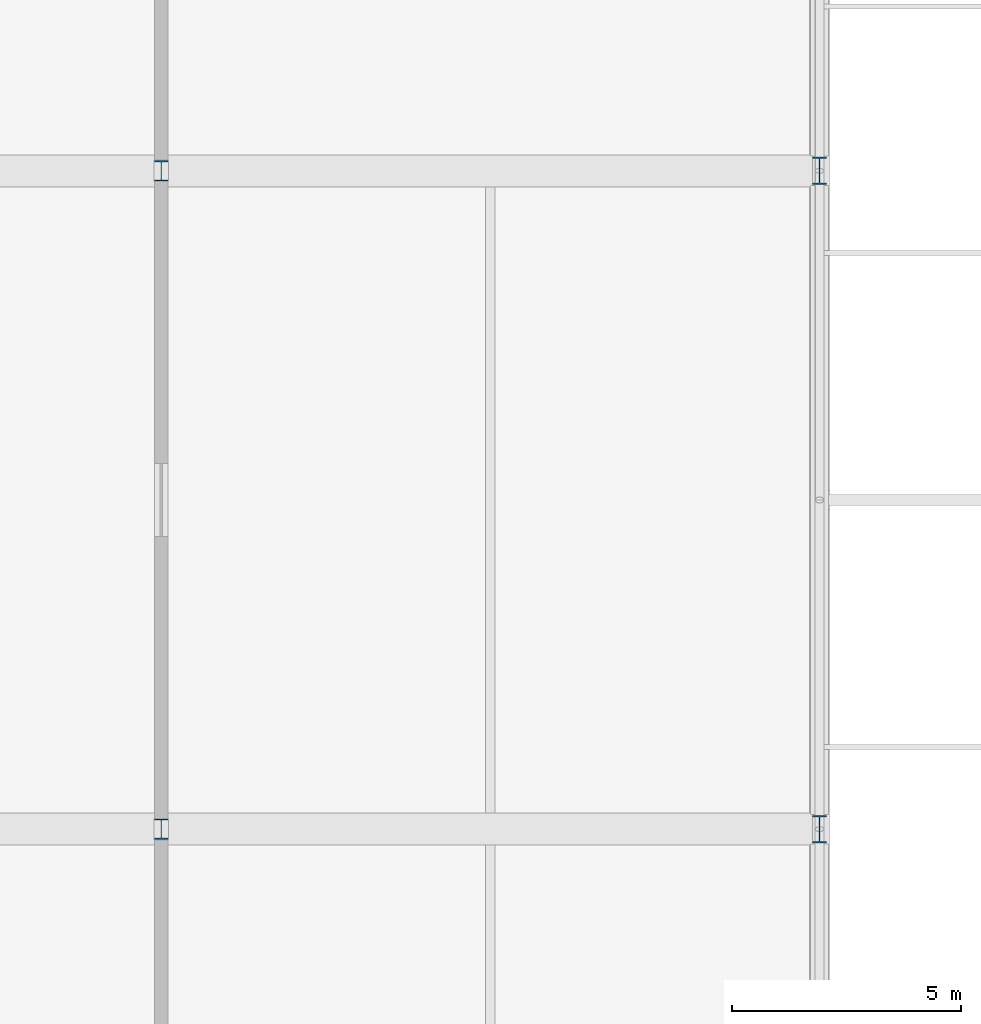
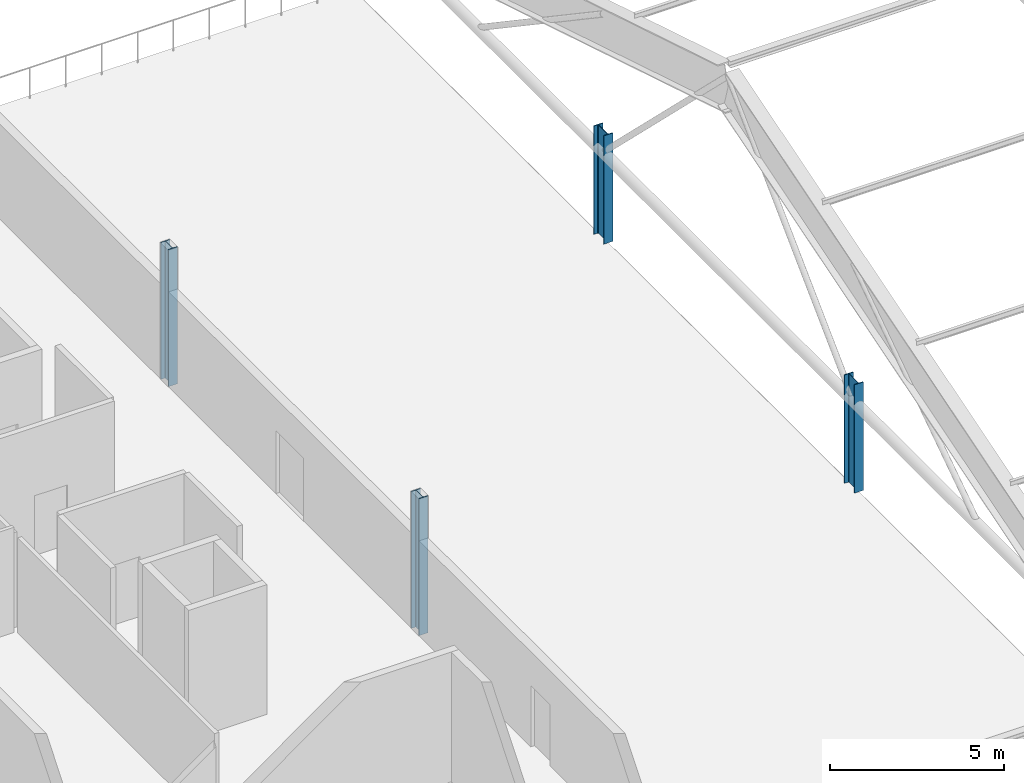
# One storey, part 9 of 116: 4 columns.
"""IFC4 building model written with IfcOpenShell, lengths in metres."""

from ifc_helpers import new_model, si_unit, direction, frame, origin, origin_2d, place, context, subcontext, project, spatial, i_section, extrude, material, material_profile, profile_set, type_object, element, save


model = new_model("IFC4")

# Units and contexts
model_context = context("Model", 3, precision=1e-05, world=origin(), true_north=direction((0.0, 1.0)))
body_context = subcontext(model_context, "Body", "Model", "MODEL_VIEW")
ifc_project = project(units=[si_unit("LENGTHUNIT", "METRE"), si_unit("AREAUNIT", "SQUARE_METRE"), si_unit("VOLUMEUNIT", "CUBIC_METRE"), si_unit("PLANEANGLEUNIT", "RADIAN"), si_unit("MASSUNIT", "GRAM", prefix="KILO")], contexts=[model_context])

# Site, building, storey
site_placement = place(None, origin())
site = spatial("IfcSite", under=ifc_project, at=site_placement, CompositionType="ELEMENT")
building_placement = place(site_placement, origin())
building = spatial("IfcBuilding", under=site, at=building_placement, Name="Cendralis Lancet Convention Centre", CompositionType="ELEMENT")
storey_placement = place(building_placement, frame((0.0, 0.0, 15.0)))
storey = spatial("IfcBuildingStorey", under=building, at=storey_placement, Name="L03", CompositionType="ELEMENT", Elevation=15.0)

# Columns
ifc_material = material(Name="Steel S355", Category="steel")
ifc_material_profile_1 = material_profile(ifc_material, i_section(OverallWidth=0.300048828125, OverallDepth=0.60009765625, WebThickness=0.015380859375, FlangeThickness=0.030029296875, FilletRadius=0.027099609375, at=origin_2d()), Name="HEB 600")
ifc_profile_set_1 = profile_set([ifc_material_profile_1], Name="Steel S355")
column_type_1 = type_object("IfcColumnType", Name="STR-COL-C21-INT", PredefinedType="COLUMN", material=ifc_profile_set_1)
for number, where, z_axis, x_axis, name in (
    (1, (153.60009765625, 108.0, 0.0), (0.0, 0.0, 1.0), (1.0, 0.0, 0.0), "L03 Column C21 at 153.6,108.0"),
    (2, (153.60009765625, 122.39990234375, 0.0), (0.0, 0.0, 1.0), (1.0, 0.0, 0.0), "L03 Column C21 at 153.6,122.4"),
):
    element("IfcColumn", number, at=place(storey_placement, frame(where, z_axis=z_axis, x_axis=x_axis)), inside=storey, type_object=column_type_1, Name=name, PredefinedType="COLUMN", context=body_context, shape_type="SweptSolid", body=[
        extrude(i_section(OverallWidth=0.300048828125, OverallDepth=0.60009765625, WebThickness=0.015380859375, FlangeThickness=0.030029296875, FilletRadius=0.027099609375, at=origin_2d()), origin(), (0.0, 0.0, 1.0), 3.800048828125),
    ])
ifc_material_profile_2 = material_profile(ifc_material, i_section(OverallWidth=0.300048828125, OverallDepth=0.449951171875, WebThickness=0.013916015625, FlangeThickness=0.02587890625, FilletRadius=0.027099609375, at=origin_2d()), Name="HEB 450")
ifc_profile_set_2 = profile_set([ifc_material_profile_2], Name="Steel S355")
column_type_2 = type_object("IfcColumnType", Name="STR-COL-C24", PredefinedType="COLUMN", material=ifc_profile_set_2)
for number, where, z_axis, x_axis, name in (
    (3, (139.199951171875, 108.0, 0.0), (0.0, 0.0, 1.0), (1.0, 0.0, 0.0), "L03 Column C24 at 139.2,108.0"),
    (4, (139.199951171875, 122.39990234375, 0.0), (0.0, 0.0, 1.0), (1.0, 0.0, 0.0), "L03 Column C24 at 139.2,122.4"),
):
    element("IfcColumn", number, at=place(storey_placement, frame(where, z_axis=z_axis, x_axis=x_axis)), inside=storey, type_object=column_type_2, Name=name, PredefinedType="COLUMN", context=body_context, shape_type="SweptSolid", body=[
        extrude(i_section(OverallWidth=0.300048828125, OverallDepth=0.449951171875, WebThickness=0.013916015625, FlangeThickness=0.02587890625, FilletRadius=0.027099609375, at=origin_2d()), origin(), (0.0, 0.0, 1.0), 4.800048828125),
    ])

save(model, "model.ifc")
